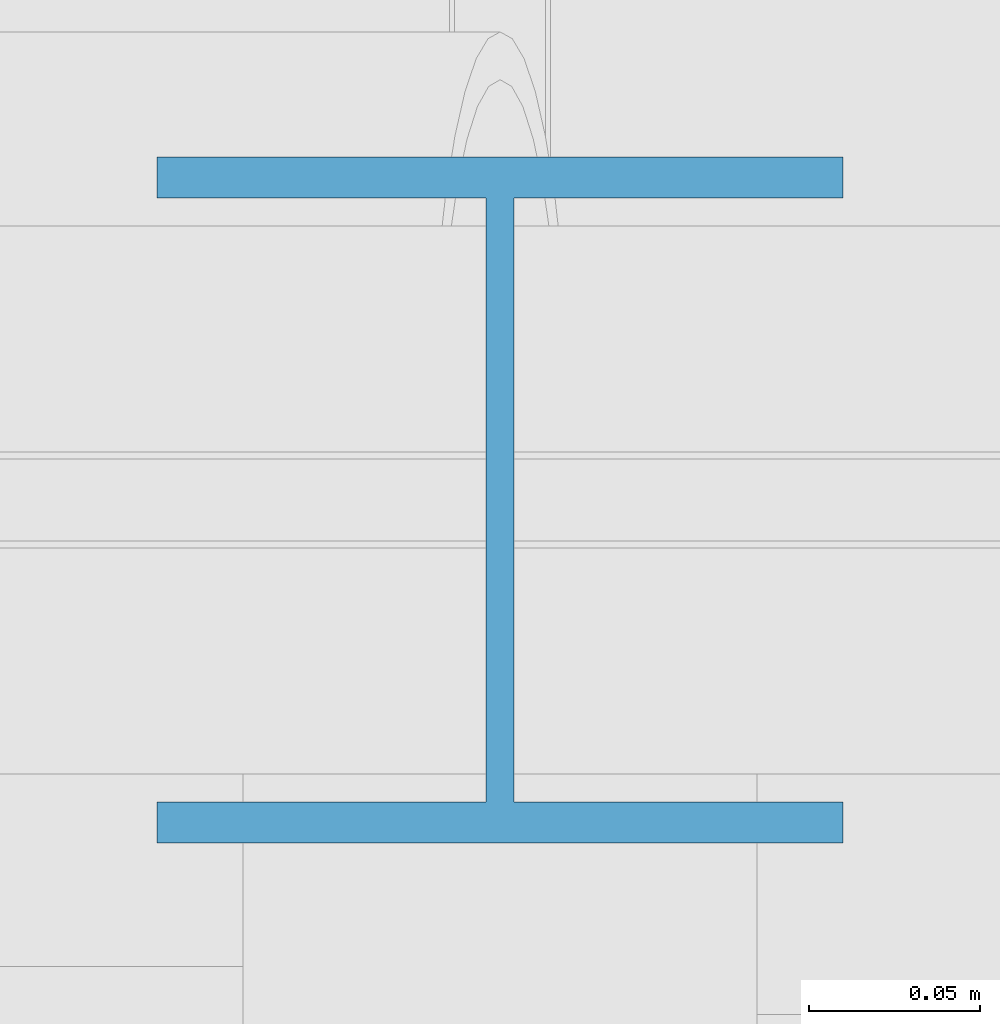
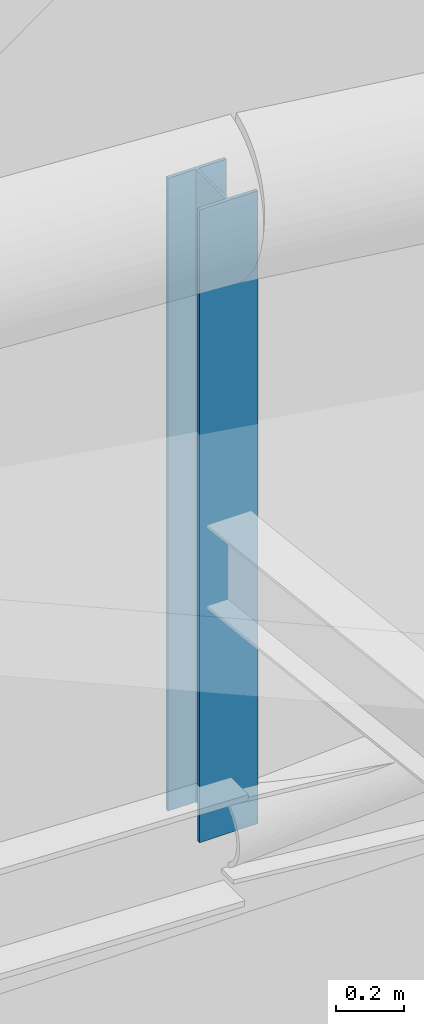
# One storey, part 22 of 36: 1 member.
"""IFC4 building model written with IfcOpenShell, lengths in metres."""

from ifc_helpers import new_model, si_unit, direction, frame, origin, origin_2d, place, context, subcontext, project, spatial, i_section, extrude, material, material_profile, profile_set, type_object, element, save


model = new_model("IFC4")

# Units and contexts
model_context = context("Model", 3, precision=1e-05, world=origin(), true_north=direction((0.0, 1.0)))
body_context = subcontext(model_context, "Body", "Model", "MODEL_VIEW")
ifc_project = project(units=[si_unit("LENGTHUNIT", "METRE"), si_unit("AREAUNIT", "SQUARE_METRE"), si_unit("VOLUMEUNIT", "CUBIC_METRE"), si_unit("PLANEANGLEUNIT", "RADIAN"), si_unit("MASSUNIT", "GRAM", prefix="KILO")], contexts=[model_context])

# Site, building, storey
site_placement = place(None, origin())
site = spatial("IfcSite", under=ifc_project, at=site_placement, CompositionType="ELEMENT")
building_placement = place(site_placement, origin())
building = spatial("IfcBuilding", under=site, at=building_placement, Name="Linyun Crest Stadium", CompositionType="ELEMENT")
storey_placement = place(building_placement, frame((0.0, 0.0, 31.60009765625)))
storey = spatial("IfcBuildingStorey", under=building, at=storey_placement, Name="RF", CompositionType="ELEMENT", Elevation=31.60009765625)

# Member
ifc_material = material(Name="Steel Q355C", Category="steel")
ifc_material_profile = material_profile(ifc_material, i_section(OverallWidth=0.199951171875, OverallDepth=0.199951171875, WebThickness=0.008056640625, FlangeThickness=0.011962890625, at=origin_2d()), Name="HW 200x200")
ifc_profile_set = profile_set([ifc_material_profile], Name="Steel Q355C")
member_type = type_object("IfcMemberType", Name="TV02", PredefinedType="STRUT", material=ifc_profile_set)
member_placement = place(storey_placement, frame((-71.875, 43.375, 5.698974609375), z_axis=(0.0, 0.0, 1.0), x_axis=(1.0, 0.0, 0.0)))
element("IfcMember", 1, at=member_placement, inside=storey, type_object=member_type, Name="Roof vertical strut TV02 V1 142", PredefinedType="STRUT", context=body_context, shape_type="SweptSolid", body=[
    extrude(i_section(OverallWidth=0.199951171875, OverallDepth=0.199951171875, WebThickness=0.008056640625, FlangeThickness=0.011962890625, at=origin_2d()), origin(), (0.0, 0.0, 1.0), 2.287841796875),
])

save(model, "model.ifc")
